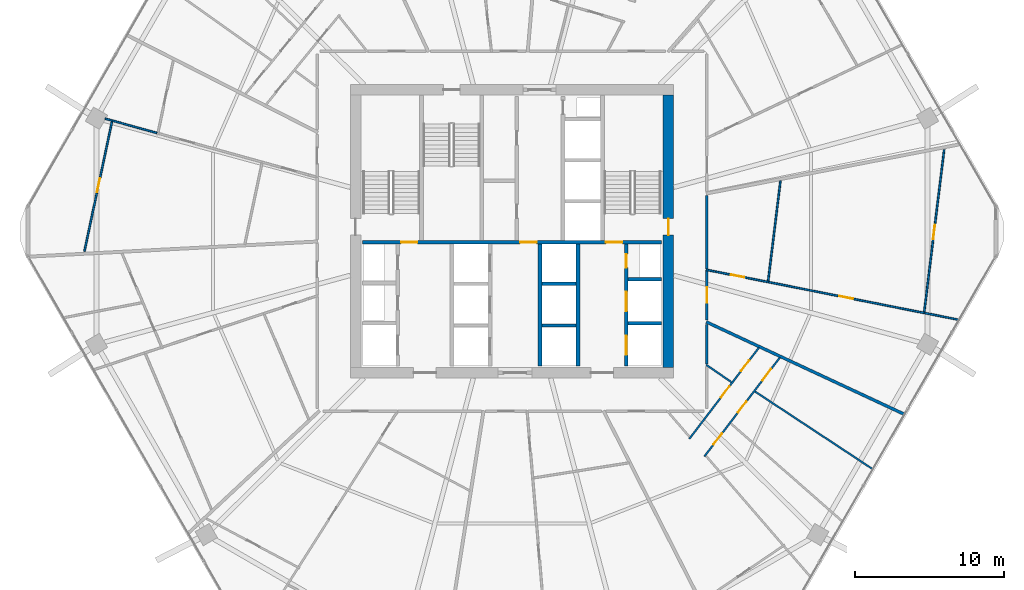
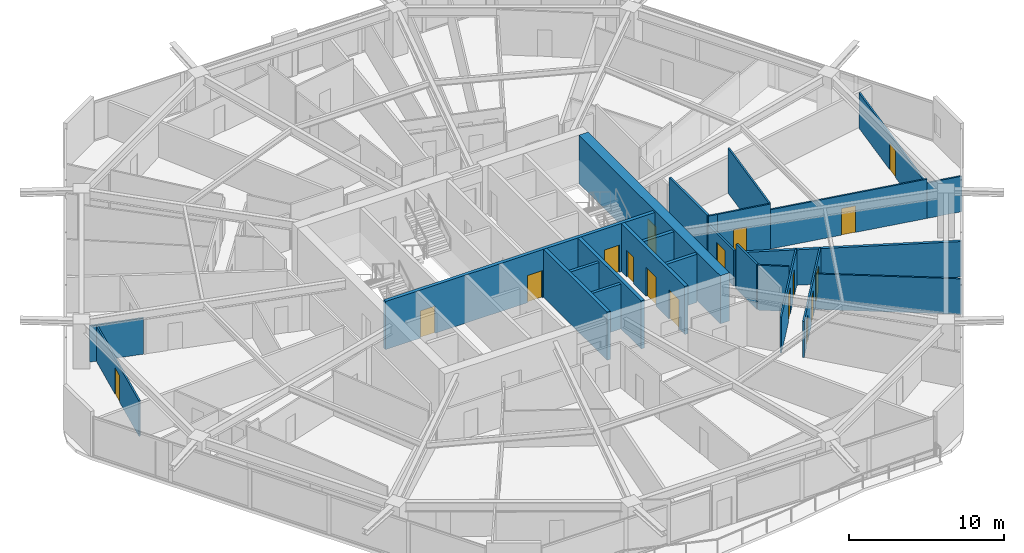
# One storey, part 26 of 33: 26 walls, 17 doors, 17 openings.
"""IFC4 building model written with IfcOpenShell, lengths in metres."""

import ifcopenshell
import ifcopenshell.guid

model = None  # the IFC model being written
_history = None  # IfcOwnerHistory: only IFC2X3 demands one
_inside = {}  # id of a spatial element -> (the spatial element, [elements in it])
_under = {}  # id of a project, library or spatial element -> (it, [spatial elements below it])
_declared = {}  # id of a project -> (the project, [libraries it declares])
_typed = {}  # id of a type object -> (the type object, [elements of that type])
_made_of = {}  # id of a material, layer set ... -> (it, [elements and type objects made of it])


def new_model(schema):
    """Start an empty IFC model of exactly this schema.

    Asked for "IFC4X3", IfcOpenShell would pick the latest addendum, in which some entities
    have other attributes; the version numbers below select the first issue.
    IFC2X3 requires an IfcOwnerHistory on every rooted entity: one is made here for all.
    """
    global model, _history
    if schema == "IFC4X3":
        model = ifcopenshell.file(schema_version=(4, 3, 0, 0))
    else:
        model = ifcopenshell.file(schema=schema)
    _inside.clear()
    _under.clear()
    _declared.clear()
    _typed.clear()
    _made_of.clear()
    _history = None
    if model.schema == "IFC2X3":
        org = make("IfcOrganization", Name="unknown")
        user = make(
            "IfcPersonAndOrganization",
            ThePerson=make("IfcPerson", FamilyName="unknown"),
            TheOrganization=org,
        )
        app = make(
            "IfcApplication",
            ApplicationDeveloper=org,
            Version="unknown",
            ApplicationFullName="unknown",
            ApplicationIdentifier="unknown",
        )
        _history = make(
            "IfcOwnerHistory",
            OwningUser=user,
            OwningApplication=app,
            ChangeAction="ADDED",
            CreationDate=0,
        )
    return model


def make(cls, **values):
    """One entity of the class cls with the attributes given. An attribute that is None is left unset."""
    return model.create_entity(
        cls, **{name: value for name, value in values.items() if value is not None}
    )


def rooted(cls, **values):
    """An entity with a GlobalId (a new one), such as an element, a storey or a relation."""
    return make(cls, GlobalId=ifcopenshell.guid.new(), OwnerHistory=_history, **values)


def si_unit(unit_type, name, prefix=None):
    """IfcSIUnit, for example si_unit("LENGTHUNIT", "METRE", prefix="MILLI")."""
    return make("IfcSIUnit", UnitType=unit_type, Prefix=prefix, Name=name)


def assignment(units):
    """IfcUnitAssignment: the units of a project."""
    return None if units is None else make("IfcUnitAssignment", Units=units)


def point(xyz):
    """IfcCartesianPoint."""
    return None if xyz is None else make("IfcCartesianPoint", Coordinates=xyz)


def direction(xyz):
    """IfcDirection."""
    return None if xyz is None else make("IfcDirection", DirectionRatios=xyz)


def frame(location, z_axis=None, x_axis=None):
    """IfcAxis2Placement3D, a coordinate frame: its origin and axes. An axis left out is left unset."""
    return make(
        "IfcAxis2Placement3D",
        Location=point(location),
        Axis=direction(z_axis),
        RefDirection=direction(x_axis),
    )


def frame_2d(location, x_axis=None):
    """IfcAxis2Placement2D, a coordinate frame in the plane: its origin and x axis."""
    return make(
        "IfcAxis2Placement2D", Location=point(location), RefDirection=direction(x_axis)
    )


def origin():
    """The frame at (0, 0, 0) with its axes left unset."""
    return frame((0.0, 0.0, 0.0))


def place(relative_to, where):
    """IfcLocalPlacement: puts the frame where relative to a parent placement (None: the world)."""
    return make(
        "IfcLocalPlacement", PlacementRelTo=relative_to, RelativePlacement=where
    )


def context(
    kind, dimensions, precision=None, world=None, true_north=None, identifier=None
):
    """IfcGeometricRepresentationContext, for example the 3D "Model" context."""
    return make(
        "IfcGeometricRepresentationContext",
        ContextIdentifier=identifier,
        ContextType=kind,
        CoordinateSpaceDimension=dimensions,
        Precision=precision,
        WorldCoordinateSystem=world,
        TrueNorth=true_north,
    )


def subcontext(parent, identifier, kind, view, scale=None):
    """IfcGeometricRepresentationSubContext, for example "Body" below "Model"."""
    return make(
        "IfcGeometricRepresentationSubContext",
        ContextIdentifier=identifier,
        ContextType=kind,
        ParentContext=parent,
        TargetScale=scale,
        TargetView=view,
    )


def project(units=None, contexts=None):
    """IfcProject with its units and contexts."""
    return rooted(
        "IfcProject",
        Name="project",
        RepresentationContexts=contexts,
        UnitsInContext=assignment(units),
    )


def spatial(cls, under=None, at=None, **own):
    """A site, building, storey or space (cls), placed at a placement, below another one or the project."""
    s = rooted(cls, ObjectPlacement=at, **own)
    if under is not None:
        _under.setdefault(under.id(), (under, []))[1].append(s)
    return s


def profile(cls, at=None, kind="AREA", **sizes):
    """A parametric profile (cls). Its sizes go by their IFC names, for example OverallWidth=200.0."""
    return make(cls, ProfileType=kind, Position=at, **sizes)


def rectangle(**sizes):
    """IfcRectangleProfileDef."""
    return profile("IfcRectangleProfileDef", **sizes)


def extrude(swept, where, along, depth):
    """IfcExtrudedAreaSolid: the profile swept, set in the frame where, extruded along a direction by depth."""
    return make(
        "IfcExtrudedAreaSolid",
        SweptArea=swept,
        Position=where,
        ExtrudedDirection=direction(along),
        Depth=depth,
    )


def shape(context_of_items, identifier, shape_type, items):
    """IfcShapeRepresentation: the items that make up one representation, for example the "Body"."""
    return make(
        "IfcShapeRepresentation",
        ContextOfItems=context_of_items,
        RepresentationIdentifier=identifier,
        RepresentationType=shape_type,
        Items=items,
    )


def material(Name=None, Category=None):
    """IfcMaterial."""
    return make("IfcMaterial", Name=Name, Category=Category)


def layer(
    of_material, thickness, ventilated=None, Name=None, Category=None, Priority=None
):
    """IfcMaterialLayer: one layer of a wall or slab, of a material (None: an air gap)."""
    return make(
        "IfcMaterialLayer",
        Material=of_material,
        LayerThickness=thickness,
        IsVentilated=ventilated,
        Name=Name,
        Category=Category,
        Priority=Priority,
    )


def layer_set(layers, Name=None):
    """IfcMaterialLayerSet."""
    return make("IfcMaterialLayerSet", MaterialLayers=layers, LayerSetName=Name)


def made_of(thing, what):
    """Note that an element or type object is made of a material, layer set ...; save() writes the relation."""
    if what is not None:
        _made_of.setdefault(what.id(), (what, []))[1].append(thing)
    return thing


def type_object(cls, material=None, **own):
    """A type object (cls), such as IfcWallType, which elements share."""
    return made_of(rooted(cls, **own), material)


def element(
    cls,
    number,
    at=None,
    inside=None,
    cuts=None,
    type_object=None,
    material=None,
    context=None,
    identifier="Body",
    shape_type=None,
    held_by="IfcProductDefinitionShape",
    body=None,
    shapes=None,
    **own,
):
    """One element of the class cls, such as IfcWall. Its Tag is "e" and its number.

    at: its placement. inside: the storey or other place that contains it. cuts: it is an
    opening in that element (IfcRelVoidsElement). A single representation is given by context,
    identifier, shape_type and body (its items); several are given by shapes. held_by: the class
    of the entity that holds the representations. save() writes the other relations.
    """
    e = rooted(cls, Tag="e%d" % number, ObjectPlacement=at, **own)
    if body is not None:
        shapes = [shape(context, identifier, shape_type, body)]
    if shapes is not None:
        e.Representation = make(held_by, Representations=shapes)
    if inside is not None:
        _inside.setdefault(inside.id(), (inside, []))[1].append(e)
    if cuts is not None:
        rooted(
            "IfcRelVoidsElement", RelatingBuildingElement=cuts, RelatedOpeningElement=e
        )
    if type_object is not None:
        _typed.setdefault(type_object.id(), (type_object, []))[1].append(e)
    return made_of(e, material)


def fill(opening, filler):
    """IfcRelFillsElement: the door or window that sits in an opening."""
    return rooted(
        "IfcRelFillsElement",
        RelatingOpeningElement=opening,
        RelatedBuildingElement=filler,
    )


def aggregate(whole, parts):
    """IfcRelAggregates: a whole, such as a stair, and the parts it consists of."""
    return rooted("IfcRelAggregates", RelatingObject=whole, RelatedObjects=parts)


def save(model, path):
    """Write the relations noted so far, then the file.

    IfcRelAggregates (storeys below a building ...), IfcRelContainedInSpatialStructure (elements
    in a storey), IfcRelDefinesByType, IfcRelAssociatesMaterial and IfcRelDeclares: one each for
    every whole, place, type object, material and project.
    """
    for whole, parts in _under.values():
        aggregate(whole, parts)
    for where, things in _inside.values():
        rooted(
            "IfcRelContainedInSpatialStructure",
            RelatedElements=things,
            RelatingStructure=where,
        )
    for kind, things in _typed.values():
        rooted("IfcRelDefinesByType", RelatedObjects=things, RelatingType=kind)
    for what, things in _made_of.values():
        rooted("IfcRelAssociatesMaterial", RelatedObjects=things, RelatingMaterial=what)
    for by, libraries in _declared.values():
        rooted("IfcRelDeclares", RelatingContext=by, RelatedDefinitions=libraries)
    model.write(path)


model = new_model("IFC4")

# Units and contexts
model_context = context("Model", 3, precision=1e-05, world=origin(), true_north=direction((0.0, 1.0)))
body_context = subcontext(model_context, "Body", "Model", "MODEL_VIEW")
ifc_project = project(units=[si_unit("LENGTHUNIT", "METRE"), si_unit("AREAUNIT", "SQUARE_METRE"), si_unit("VOLUMEUNIT", "CUBIC_METRE"), si_unit("PLANEANGLEUNIT", "RADIAN"), si_unit("MASSUNIT", "GRAM", prefix="KILO")], contexts=[model_context])

# Site, building, storey
site_placement = place(None, origin())
site = spatial("IfcSite", under=ifc_project, at=site_placement, CompositionType="ELEMENT")
building_placement = place(site_placement, origin())
building = spatial("IfcBuilding", under=site, at=building_placement, Name="Zuhravey Tower", CompositionType="ELEMENT")
storey_placement = place(building_placement, frame((0.0, 0.0, 126.60009765625)))
storey = spatial("IfcBuildingStorey", under=building, at=storey_placement, Name="L31", CompositionType="ELEMENT", Elevation=126.60009765625)

# Wall, opening, door
ifc_material_1 = material(Name="Concrete C60/75", Category="concrete")
ifc_layer_1 = layer(ifc_material_1, 0.699951171875)
ifc_layer_set_1 = layer_set([ifc_layer_1], Name="Concrete C60/75")
wall_type_1 = type_object("IfcWallType", Name="Core Shear Wall 700", PredefinedType="SHEAR", material=ifc_layer_set_1)
wall_1_placement = place(storey_placement, frame((46.5, 22.85009765625, 0.0), z_axis=(0.0, 0.0, 1.0), x_axis=(0.0, 1.0, 0.0)))
wall_1 = element("IfcWall", 1, at=wall_1_placement, inside=storey, type_object=wall_type_1, Name="L31 East Core Shear Wall CW70", PredefinedType="SHEAR", context=body_context, shape_type="SweptSolid", body=[
    extrude(rectangle(XDim=18.2998046875, YDim=0.699951171875, at=frame_2d((9.14990234375, 0.0))), origin(), (0.0, 0.0, 1.0), 3.7998046875),
])
opening_1_placement = place(wall_1_placement, frame((8.89990234375, 0.0, 0.0)))
opening_1 = element("IfcOpeningElement", 2, at=opening_1_placement, cuts=wall_1, Name="Opening STD1", PredefinedType="OPENING", context=body_context, shape_type="SweptSolid", body=[
    extrude(rectangle(XDim=1.10009765625, YDim=2.14990234375, at=frame_2d((0.550048828125, 1.074951171875))), frame((0.0, 0.362060546875, 0.0), z_axis=(0.0, -1.0, 0.0), x_axis=(1.0, 0.0, 0.0)), (0.0, 0.0, 1.0), 0.723876953125),
])
ifc_material_2 = material(Name="Galvanised fire-rated steel leaf", Category="steel")
door_type_1 = type_object("IfcDoorType", Name="Protected Stair Fire Door 1100x2150", OperationType="NOTDEFINED", PredefinedType="USERDEFINED", material=ifc_material_2)
door_1_placement = place(opening_1_placement, origin())
door_1 = element("IfcDoor", 3, at=door_1_placement, inside=storey, type_object=door_type_1, Name="L31 Stair ST2 Door", ObjectType="EXITDOOR", OperationType="SINGLE_SWING_RIGHT", OverallHeight=2.14990234375, OverallWidth=1.10009765625, PredefinedType="USERDEFINED", context=body_context, shape_type="SweptSolid", body=[
    extrude(rectangle(XDim=1.10009765625, YDim=2.14990234375, at=frame_2d((0.550048828125, 1.074951171875))), frame((0.0, 0.02490234375, 0.0), z_axis=(0.0, -1.0, 0.0), x_axis=(1.0, 0.0, 0.0)), (0.0, 0.0, 1.0), 0.050048828125),
])
fill(opening_1, door_1)

ifc_material_3 = material(Name="Gypsum fire-rated stud partition")
ifc_layer_2 = layer(ifc_material_3, 0.159912109375)
ifc_layer_set_2 = layer_set([ifc_layer_2], Name="Gypsum fire-rated stud partition")
wall_type_2 = type_object("IfcWallType", Name="Corridor Fire Partition 160", PredefinedType="PARTITIONING", material=ifc_layer_set_2)
wall_2_placement = place(storey_placement, frame((49.080078125, 26.06103515625, 0.0), z_axis=(0.0, 0.0, 1.0), x_axis=(0.0, 1.0, 0.0)))
wall_2 = element("IfcWall", 4, at=wall_2_placement, inside=storey, type_object=wall_type_2, Name="L31 IW16 Partition 066", PredefinedType="PARTITIONING", context=body_context, shape_type="SweptSolid", body=[
    extrude(rectangle(XDim=3.32861328125, YDim=0.159912109375, at=frame_2d((1.664306640625, 0.0))), origin(), (0.0, 0.0, 1.0), 2.849853515625),
])
opening_2_placement = place(wall_2_placement, frame((1.139404296875, 0.0, 0.0)))
opening_2 = element("IfcOpeningElement", 5, at=opening_2_placement, cuts=wall_2, Name="Opening APD1", PredefinedType="OPENING", context=body_context, shape_type="SweptSolid", body=[
    extrude(rectangle(XDim=1.050048828125, YDim=2.14990234375, at=frame_2d((0.52490234375, 1.074951171875))), frame((0.0, 0.092041015625, 0.0), z_axis=(0.0, -1.0, 0.0), x_axis=(1.0, 0.0, 0.0)), (0.0, 0.0, 1.0), 0.183837890625),
])
ifc_material_4 = material(Name="Solid-core oak fire-rated leaf")
door_type_2 = type_object("IfcDoorType", Name="Apartment Entrance Fire Door 1050x2150", OperationType="NOTDEFINED", PredefinedType="DOOR", material=ifc_material_4)
door_2_placement = place(opening_2_placement, frame((1.050048828125, 0.0, 0.0), z_axis=(0.0, 0.0, 1.0), x_axis=(-1.0, 0.0, 0.0)))
door_2 = element("IfcDoor", 6, at=door_2_placement, inside=storey, type_object=door_type_2, Name="L31 Door 066.1", OperationType="SINGLE_SWING_LEFT", OverallHeight=2.14990234375, OverallWidth=1.050048828125, PredefinedType="DOOR", context=body_context, shape_type="SweptSolid", body=[
    extrude(rectangle(XDim=1.050048828125, YDim=2.14990234375, at=frame_2d((0.52490234375, 1.074951171875))), frame((0.0, 0.02490234375, 0.0), z_axis=(0.0, -1.0, 0.0), x_axis=(1.0, 0.0, 0.0)), (0.0, 0.0, 1.0), 0.050048828125),
])
fill(opening_2, door_2)

# Walls
wall_3_placement = place(storey_placement, frame((49.080078125, 23.093505859375, 0.0), z_axis=(0.0, 0.0, 1.0), x_axis=(0.0, 1.0, 0.0)))
element("IfcWall", 7, at=wall_3_placement, inside=storey, type_object=wall_type_2, Name="L31 IW16 Partition 142", PredefinedType="PARTITIONING", context=body_context, shape_type="SweptSolid", body=[
    extrude(rectangle(XDim=2.6455078125, YDim=0.159912109375, at=frame_2d((1.32275390625, 0.0))), origin(), (0.0, 0.0, 1.0), 3.5498046875),
])
wall_4_placement = place(storey_placement, frame((49.080078125, 29.4794921875, 0.0), z_axis=(0.0, 0.0, 1.0), x_axis=(0.0, 1.0, 0.0)))
element("IfcWall", 8, at=wall_4_placement, inside=storey, type_object=wall_type_2, Name="L31 IW16 Partition 143", PredefinedType="PARTITIONING", context=body_context, shape_type="SweptSolid", body=[
    extrude(rectangle(XDim=4.92431640625, YDim=0.159912109375, at=frame_2d((2.462158203125, 0.0))), origin(), (0.0, 0.0, 1.0), 3.5498046875),
])

# Wall, openings, doors
ifc_material_5 = material(Name="Concrete C50/60", Category="concrete")
ifc_layer_3 = layer(ifc_material_5, 0.25)
ifc_layer_set_3 = layer_set([ifc_layer_3], Name="Concrete C50/60")
wall_type_3 = type_object("IfcWallType", Name="Firefighting Shaft & Stair Wall 250", PredefinedType="SOLIDWALL", material=ifc_layer_set_3)
wall_5_placement = place(storey_placement, frame((25.949951171875, 31.27490234375, 0.0), z_axis=(0.0, 0.0, 1.0), x_axis=(1.0, 0.0, 0.0)))
wall_5 = element("IfcWall", 9, at=wall_5_placement, inside=storey, type_object=wall_type_3, Name="L31 FW25 Shaft Wall 003", PredefinedType="SOLIDWALL", context=body_context, shape_type="SweptSolid", body=[
    extrude(rectangle(XDim=20.10009765625, YDim=0.25, at=frame_2d((10.050048828125, 0.0))), origin(), (0.0, 0.0, 1.0), 3.7998046875),
])
opening_3_placement = place(wall_5_placement, frame((2.60009765625, 0.0, 0.0)))
opening_3 = element("IfcOpeningElement", 10, at=opening_3_placement, cuts=wall_5, Name="Opening STD1", PredefinedType="OPENING", context=body_context, shape_type="SweptSolid", body=[
    extrude(rectangle(XDim=1.10009765625, YDim=2.14990234375, at=frame_2d((0.550048828125, 1.074951171875))), frame((0.0, 0.136962890625, 0.0), z_axis=(0.0, -1.0, 0.0), x_axis=(1.0, 0.0, 0.0)), (0.0, 0.0, 1.0), 0.27392578125),
])
opening_4_placement = place(wall_5_placement, frame((10.60009765625, 0.0, 0.0)))
opening_4 = element("IfcOpeningElement", 11, at=opening_4_placement, cuts=wall_5, Name="Opening STD1", PredefinedType="OPENING", context=body_context, shape_type="SweptSolid", body=[
    extrude(rectangle(XDim=1.10009765625, YDim=2.14990234375, at=frame_2d((0.550048828125, 1.074951171875))), frame((0.0, 0.136962890625, 0.0), z_axis=(0.0, -1.0, 0.0), x_axis=(1.0, 0.0, 0.0)), (0.0, 0.0, 1.0), 0.27392578125),
])
opening_5_placement = place(wall_5_placement, frame((16.35009765625, 0.0, 0.0)))
opening_5 = element("IfcOpeningElement", 12, at=opening_5_placement, cuts=wall_5, Name="Opening STD1", PredefinedType="OPENING", context=body_context, shape_type="SweptSolid", body=[
    extrude(rectangle(XDim=1.10009765625, YDim=2.14990234375, at=frame_2d((0.550048828125, 1.074951171875))), frame((0.0, 0.136962890625, 0.0), z_axis=(0.0, -1.0, 0.0), x_axis=(1.0, 0.0, 0.0)), (0.0, 0.0, 1.0), 0.27392578125),
])
door_3_placement = place(opening_3_placement, origin())
door_3 = element("IfcDoor", 13, at=door_3_placement, inside=storey, type_object=door_type_1, Name="L31 FFL-W to ST1 Door", ObjectType="EXITDOOR", OperationType="SINGLE_SWING_RIGHT", OverallHeight=2.14990234375, OverallWidth=1.10009765625, PredefinedType="USERDEFINED", context=body_context, shape_type="SweptSolid", body=[
    extrude(rectangle(XDim=1.10009765625, YDim=2.14990234375, at=frame_2d((0.550048828125, 1.074951171875))), frame((0.0, 0.02490234375, 0.0), z_axis=(0.0, -1.0, 0.0), x_axis=(1.0, 0.0, 0.0)), (0.0, 0.0, 1.0), 0.050048828125),
])
fill(opening_3, door_3)
door_4_placement = place(opening_4_placement, origin())
door_4 = element("IfcDoor", 14, at=door_4_placement, inside=storey, type_object=door_type_1, Name="L31 Core Lobby Link Door", ObjectType="EXITDOOR", OperationType="SINGLE_SWING_LEFT", OverallHeight=2.14990234375, OverallWidth=1.10009765625, PredefinedType="USERDEFINED", context=body_context, shape_type="SweptSolid", body=[
    extrude(rectangle(XDim=1.10009765625, YDim=2.14990234375, at=frame_2d((0.550048828125, 1.074951171875))), frame((0.0, 0.02490234375, 0.0), z_axis=(0.0, -1.0, 0.0), x_axis=(1.0, 0.0, 0.0)), (0.0, 0.0, 1.0), 0.050048828125),
])
fill(opening_4, door_4)
door_5_placement = place(opening_5_placement, origin())
door_5 = element("IfcDoor", 15, at=door_5_placement, inside=storey, type_object=door_type_1, Name="L31 FFL-E to ST2 Door", ObjectType="EXITDOOR", OperationType="SINGLE_SWING_RIGHT", OverallHeight=2.14990234375, OverallWidth=1.10009765625, PredefinedType="USERDEFINED", context=body_context, shape_type="SweptSolid", body=[
    extrude(rectangle(XDim=1.10009765625, YDim=2.14990234375, at=frame_2d((0.550048828125, 1.074951171875))), frame((0.0, 0.02490234375, 0.0), z_axis=(0.0, -1.0, 0.0), x_axis=(1.0, 0.0, 0.0)), (0.0, 0.0, 1.0), 0.050048828125),
])
fill(opening_5, door_5)

# Walls
for number, where, z_axis, x_axis, name in (
    (16, (37.875, 22.949951171875, 0.0), (0.0, 0.0, 1.0), (0.0, 1.0, 0.0), "L31 FW25 Shaft Wall 014"),
    (17, (40.425048828125, 22.949951171875, 0.0), (0.0, 0.0, 1.0), (0.0, 1.0, 0.0), "L31 FW25 Shaft Wall 015"),
):
    element("IfcWall", number, at=place(storey_placement, frame(where, z_axis=z_axis, x_axis=x_axis)), inside=storey, type_object=wall_type_3, Name=name, PredefinedType="SOLIDWALL", context=body_context, shape_type="SweptSolid", body=[
        extrude(rectangle(XDim=8.199951171875, YDim=0.25, at=frame_2d((4.10009765625, 0.0))), origin(), (0.0, 0.0, 1.0), 3.7998046875),
    ])
for number, where, z_axis, x_axis, name in (
    (18, (43.800048828125, 25.824951171875, 0.0), (0.0, 0.0, 1.0), (1.0, 0.0, 0.0), "L31 FW25 Shaft Wall 016"),
    (19, (43.800048828125, 28.77490234375, 0.0), (0.0, 0.0, 1.0), (1.0, 0.0, 0.0), "L31 FW25 Shaft Wall 017"),
):
    element("IfcWall", number, at=place(storey_placement, frame(where, z_axis=z_axis, x_axis=x_axis)), inside=storey, type_object=wall_type_3, Name=name, PredefinedType="SOLIDWALL", context=body_context, shape_type="SweptSolid", body=[
        extrude(rectangle(XDim=2.25, YDim=0.25, at=frame_2d((1.125, 0.0))), origin(), (0.0, 0.0, 1.0), 3.7998046875),
    ])

# Wall, openings, doors
wall_6_placement = place(storey_placement, frame((43.675048828125, 22.949951171875, 0.0), z_axis=(0.0, 0.0, 1.0), x_axis=(0.0, 1.0, 0.0)))
wall_6 = element("IfcWall", 20, at=wall_6_placement, inside=storey, type_object=wall_type_3, Name="L31 FW25 Shaft Wall 018", PredefinedType="SOLIDWALL", context=body_context, shape_type="SweptSolid", body=[
    extrude(rectangle(XDim=8.199951171875, YDim=0.25, at=frame_2d((4.10009765625, 0.0))), origin(), (0.0, 0.0, 1.0), 3.7998046875),
])
opening_6_placement = place(wall_6_placement, frame((0.75, 0.0, 0.0)))
opening_6 = element("IfcOpeningElement", 21, at=opening_6_placement, cuts=wall_6, Name="Opening LD2", PredefinedType="OPENING", context=body_context, shape_type="SweptSolid", body=[
    extrude(rectangle(XDim=1.300048828125, YDim=2.300048828125, at=frame_2d((0.64990234375, 1.14990234375))), frame((0.0, 0.136962890625, 0.0), z_axis=(0.0, -1.0, 0.0), x_axis=(1.0, 0.0, 0.0)), (0.0, 0.0, 1.0), 0.27392578125),
])
opening_7_placement = place(wall_6_placement, frame((3.699951171875, 0.0, 0.0)))
opening_7 = element("IfcOpeningElement", 22, at=opening_7_placement, cuts=wall_6, Name="Opening LD2", PredefinedType="OPENING", context=body_context, shape_type="SweptSolid", body=[
    extrude(rectangle(XDim=1.300048828125, YDim=2.300048828125, at=frame_2d((0.64990234375, 1.14990234375))), frame((0.0, 0.136962890625, 0.0), z_axis=(0.0, -1.0, 0.0), x_axis=(1.0, 0.0, 0.0)), (0.0, 0.0, 1.0), 0.27392578125),
])
opening_8_placement = place(wall_6_placement, frame((6.6201171875, 0.0, 0.0)))
opening_8 = element("IfcOpeningElement", 23, at=opening_8_placement, cuts=wall_6, Name="Opening RSD1", PredefinedType="OPENING", context=body_context, shape_type="SweptSolid", body=[
    extrude(rectangle(XDim=0.89990234375, YDim=2.10009765625, at=frame_2d((0.449951171875, 1.050048828125))), frame((0.0, 0.136962890625, 0.0), z_axis=(0.0, -1.0, 0.0), x_axis=(1.0, 0.0, 0.0)), (0.0, 0.0, 1.0), 0.27392578125),
])
ifc_material_6 = material(Name="Brushed stainless steel", Category="steel")
door_type_3 = type_object("IfcDoorType", Name="Freight & Stretcher Lift Sliding Door 1300x2300", OperationType="DOUBLE_DOOR_SLIDING", PredefinedType="DOOR", material=ifc_material_6)
door_6_placement = place(opening_6_placement, origin())
door_6 = element("IfcDoor", 24, at=door_6_placement, inside=storey, type_object=door_type_3, Name="L31 Lift FF2 Landing Door", OperationType="DOUBLE_DOOR_SLIDING", OverallHeight=2.300048828125, OverallWidth=1.300048828125, PredefinedType="DOOR", context=body_context, shape_type="SweptSolid", body=[
    extrude(rectangle(XDim=1.300048828125, YDim=2.300048828125, at=frame_2d((0.64990234375, 1.14990234375))), frame((0.0, 0.02490234375, 0.0), z_axis=(0.0, -1.0, 0.0), x_axis=(1.0, 0.0, 0.0)), (0.0, 0.0, 1.0), 0.050048828125),
])
fill(opening_6, door_6)
door_7_placement = place(opening_7_placement, origin())
door_7 = element("IfcDoor", 25, at=door_7_placement, inside=storey, type_object=door_type_3, Name="L31 Lift SV1 Landing Door", OperationType="DOUBLE_DOOR_SLIDING", OverallHeight=2.300048828125, OverallWidth=1.300048828125, PredefinedType="DOOR", context=body_context, shape_type="SweptSolid", body=[
    extrude(rectangle(XDim=1.300048828125, YDim=2.300048828125, at=frame_2d((0.64990234375, 1.14990234375))), frame((0.0, 0.02490234375, 0.0), z_axis=(0.0, -1.0, 0.0), x_axis=(1.0, 0.0, 0.0)), (0.0, 0.0, 1.0), 0.050048828125),
])
fill(opening_7, door_7)
ifc_material_7 = material(Name="Galvanised fire-rated steel access leaf", Category="steel")
door_type_4 = type_object("IfcDoorType", Name="Riser & Shaft Access Fire Door 900x2100", OperationType="NOTDEFINED", PredefinedType="DOOR", material=ifc_material_7)
door_8_placement = place(opening_8_placement, origin())
door_8 = element("IfcDoor", 26, at=door_8_placement, inside=storey, type_object=door_type_4, Name="L31 Plumbing Riser Door", OperationType="SINGLE_SWING_RIGHT", OverallHeight=2.10009765625, OverallWidth=0.89990234375, PredefinedType="DOOR", context=body_context, shape_type="SweptSolid", body=[
    extrude(rectangle(XDim=0.89990234375, YDim=2.10009765625, at=frame_2d((0.449951171875, 1.050048828125))), frame((0.0, 0.02490234375, 0.0), z_axis=(0.0, -1.0, 0.0), x_axis=(1.0, 0.0, 0.0)), (0.0, 0.0, 1.0), 0.050048828125),
])
fill(opening_8, door_8)

# Walls
ifc_material_8 = material(Name="Gypsum double-stud party assembly")
ifc_layer_4 = layer(ifc_material_8, 0.199951171875)
ifc_layer_set_4 = layer_set([ifc_layer_4], Name="Gypsum double-stud party assembly")
wall_type_4 = type_object("IfcWallType", Name="Inter-Tenancy Party Wall 200", PredefinedType="PARTITIONING", material=ifc_layer_set_4)
wall_7_placement = place(storey_placement, frame((49.0400390625, 25.919189453125, 0.0), z_axis=(0.0, 0.0, 1.0), x_axis=(0.90630970467, -0.422614149338, 0.0)))
element("IfcWall", 27, at=wall_7_placement, inside=storey, type_object=wall_type_4, Name="L31 IW20 Partition 124", PredefinedType="PARTITIONING", context=body_context, shape_type="SweptSolid", body=[
    extrude(rectangle(XDim=14.680908203125, YDim=0.199951171875, at=frame_2d((7.34033203125, 0.0))), origin(), (0.0, 0.0, 1.0), 2.7998046875),
])
ifc_material_9 = material(Name="Gypsum acoustic stud assembly")
ifc_layer_5 = layer(ifc_material_9, 0.219970703125)
ifc_layer_set_5 = layer_set([ifc_layer_5], Name="Gypsum acoustic stud assembly")
wall_type_5 = type_object("IfcWallType", Name="School Acoustic Compartment Wall 220", PredefinedType="PARTITIONING", material=ifc_layer_set_5)
for number, where, z_axis, x_axis, name in (
    (28, (38.008056640625, 25.675048828125, 0.0), (0.0, 0.0, 1.0), (1.0, 0.0, 0.0), "L31 IW22 Partition 073"),
    (29, (38.008056640625, 28.47509765625, 0.0), (0.0, 0.0, 1.0), (1.0, 0.0, 0.0), "L31 IW22 Partition 074"),
):
    element("IfcWall", number, at=place(storey_placement, frame(where, z_axis=z_axis, x_axis=x_axis)), inside=storey, type_object=wall_type_5, Name=name, PredefinedType="PARTITIONING", context=body_context, shape_type="SweptSolid", body=[
        extrude(rectangle(XDim=2.283935546875, YDim=0.219970703125, at=frame_2d((1.14208984375, 0.0))), origin(), (0.0, 0.0, 1.0), 3.5498046875),
    ])
ifc_material_10 = material(Name="Gypsum metal-stud partition")
ifc_layer_6 = layer(ifc_material_10, 0.1201171875)
ifc_layer_set_6 = layer_set([ifc_layer_6], Name="Gypsum metal-stud partition")
wall_type_6 = type_object("IfcWallType", Name="Unit Internal Partition 120", PredefinedType="PARTITIONING", material=ifc_layer_set_6)
wall_8_placement = place(storey_placement, frame((12.165283203125, 38.60107421875, 0.0), z_axis=(0.0, 0.0, 1.0), x_axis=(-0.963725092481, 0.266896882939, 0.0)))
element("IfcWall", 30, at=wall_8_placement, inside=storey, type_object=wall_type_6, Name="L31 IW12 Partition 040", PredefinedType="PARTITIONING", context=body_context, shape_type="SweptSolid", body=[
    extrude(rectangle(XDim=3.1357421875, YDim=0.1201171875, at=frame_2d((1.56787109375, 0.0))), origin(), (0.0, 0.0, 1.0), 2.849853515625),
])

# Wall, opening, door
wall_9_placement = place(storey_placement, frame((9.1533203125, 39.364501953125, 0.0), z_axis=(0.0, 0.0, 1.0), x_axis=(-0.207912484837, -0.978147431959, 0.0)))
wall_9 = element("IfcWall", 31, at=wall_9_placement, inside=storey, type_object=wall_type_6, Name="L31 IW12 Partition 041", PredefinedType="PARTITIONING", context=body_context, shape_type="SweptSolid", body=[
    extrude(rectangle(XDim=8.91259765625, YDim=0.1201171875, at=frame_2d((4.456298828125, 0.0))), origin(), (0.0, 0.0, 1.0), 2.7998046875),
])
opening_9_placement = place(wall_9_placement, frame((3.897216796875, 0.0, 0.0)))
opening_9 = element("IfcOpeningElement", 32, at=opening_9_placement, cuts=wall_9, Name="Opening IND1", PredefinedType="OPENING", context=body_context, shape_type="SweptSolid", body=[
    extrude(rectangle(XDim=0.949951171875, YDim=2.10009765625, at=frame_2d((0.47509765625, 1.050048828125))), frame((0.0, 0.072021484375, 0.0), z_axis=(0.0, -1.0, 0.0), x_axis=(1.0, 0.0, 0.0)), (0.0, 0.0, 1.0), 0.14404296875),
])
ifc_material_11 = material(Name="Painted engineered timber leaf", Category="wood")
door_type_5 = type_object("IfcDoorType", Name="Internal Room & Bedroom Door 950x2100", OperationType="NOTDEFINED", PredefinedType="DOOR", material=ifc_material_11)
door_9_placement = place(opening_9_placement, frame((0.949951171875, 0.0, 0.0), z_axis=(0.0, 0.0, 1.0), x_axis=(-1.0, 0.0, 0.0)))
door_9 = element("IfcDoor", 33, at=door_9_placement, inside=storey, type_object=door_type_5, Name="Apartment L31-05 Kitchen Door", OperationType="SINGLE_SWING_RIGHT", OverallHeight=2.10009765625, OverallWidth=0.949951171875, PredefinedType="DOOR", context=body_context, shape_type="SweptSolid", body=[
    extrude(rectangle(XDim=0.949951171875, YDim=2.10009765625, at=frame_2d((0.47509765625, 1.050048828125))), frame((0.0, 0.02490234375, 0.0), z_axis=(0.0, -1.0, 0.0), x_axis=(1.0, 0.0, 0.0)), (0.0, 0.0, 1.0), 0.050048828125),
])
fill(opening_9, door_9)

# Wall, openings, doors
wall_10_placement = place(storey_placement, frame((47.901123046875, 18.069091796875, 0.0), z_axis=(0.0, 0.0, 1.0), x_axis=(0.606532258444, 0.795058877988, 0.0)))
wall_10 = element("IfcWall", 34, at=wall_10_placement, inside=storey, type_object=wall_type_6, Name="L31 IW12 Partition 060", PredefinedType="PARTITIONING", context=body_context, shape_type="SweptSolid", body=[
    extrude(rectangle(XDim=7.71435546875, YDim=0.1201171875, at=frame_2d((3.857177734375, 0.0))), origin(), (0.0, 0.0, 1.0), 2.849853515625),
])
opening_10_placement = place(wall_10_placement, frame((3.4892578125, 0.0, 0.0)))
opening_10 = element("IfcOpeningElement", 35, at=opening_10_placement, cuts=wall_10, Name="Opening IND1", PredefinedType="OPENING", context=body_context, shape_type="SweptSolid", body=[
    extrude(rectangle(XDim=0.949951171875, YDim=2.10009765625, at=frame_2d((0.47509765625, 1.050048828125))), frame((0.0, 0.072021484375, 0.0), z_axis=(0.0, -1.0, 0.0), x_axis=(1.0, 0.0, 0.0)), (0.0, 0.0, 1.0), 0.14404296875),
])
opening_11_placement = place(wall_10_placement, frame((5.72900390625, 0.0, 0.0)))
opening_11 = element("IfcOpeningElement", 36, at=opening_11_placement, cuts=wall_10, Name="Opening WCD1", PredefinedType="OPENING", context=body_context, shape_type="SweptSolid", body=[
    extrude(rectangle(XDim=0.89990234375, YDim=2.10009765625, at=frame_2d((0.449951171875, 1.050048828125))), frame((0.0, 0.072021484375, 0.0), z_axis=(0.0, -1.0, 0.0), x_axis=(1.0, 0.0, 0.0)), (0.0, 0.0, 1.0), 0.14404296875),
])
ifc_material_12 = material(Name="Moisture-resistant timber leaf", Category="wood")
door_type_6 = type_object("IfcDoorType", Name="Bathroom & WC Internal Door 900x2100", OperationType="NOTDEFINED", PredefinedType="DOOR", material=ifc_material_12)
door_10_placement = place(opening_11_placement, origin())
door_10 = element("IfcDoor", 37, at=door_10_placement, inside=storey, type_object=door_type_6, Name="Apartment L31-09 Bathroom Door", OperationType="SINGLE_SWING_LEFT", OverallHeight=2.10009765625, OverallWidth=0.89990234375, PredefinedType="DOOR", context=body_context, shape_type="SweptSolid", body=[
    extrude(rectangle(XDim=0.89990234375, YDim=2.10009765625, at=frame_2d((0.449951171875, 1.050048828125))), frame((0.0, 0.02490234375, 0.0), z_axis=(0.0, -1.0, 0.0), x_axis=(1.0, 0.0, 0.0)), (0.0, 0.0, 1.0), 0.050048828125),
])
fill(opening_11, door_10)
door_11_placement = place(opening_10_placement, origin())
door_11 = element("IfcDoor", 38, at=door_11_placement, inside=storey, type_object=door_type_5, Name="Apartment L31-09 Kitchen Door", OperationType="SINGLE_SWING_RIGHT", OverallHeight=2.10009765625, OverallWidth=0.949951171875, PredefinedType="DOOR", context=body_context, shape_type="SweptSolid", body=[
    extrude(rectangle(XDim=0.949951171875, YDim=2.10009765625, at=frame_2d((0.47509765625, 1.050048828125))), frame((0.0, 0.02490234375, 0.0), z_axis=(0.0, -1.0, 0.0), x_axis=(1.0, 0.0, 0.0)), (0.0, 0.0, 1.0), 0.050048828125),
])
fill(opening_10, door_11)

wall_11_placement = place(storey_placement, frame((48.91650390625, 16.893798828125, 0.0), z_axis=(0.0, 0.0, 1.0), x_axis=(0.606532810855, 0.795058456566, 0.0)))
wall_11 = element("IfcWall", 39, at=wall_11_placement, inside=storey, type_object=wall_type_6, Name="L31 IW12 Partition 061", PredefinedType="PARTITIONING", context=body_context, shape_type="SweptSolid", body=[
    extrude(rectangle(XDim=8.3515625, YDim=0.1201171875, at=frame_2d((4.17578125, 0.0))), origin(), (0.0, 0.0, 1.0), 2.849853515625),
])
opening_12_placement = place(wall_11_placement, frame((0.99267578125, 0.0, 0.0)))
opening_12 = element("IfcOpeningElement", 40, at=opening_12_placement, cuts=wall_11, Name="Opening IND1", PredefinedType="OPENING", context=body_context, shape_type="SweptSolid", body=[
    extrude(rectangle(XDim=0.949951171875, YDim=2.10009765625, at=frame_2d((0.47509765625, 1.050048828125))), frame((0.0, 0.072021484375, 0.0), z_axis=(0.0, -1.0, 0.0), x_axis=(1.0, 0.0, 0.0)), (0.0, 0.0, 1.0), 0.14404296875),
])
opening_13_placement = place(wall_11_placement, frame((3.70068359375, 0.0, 0.0)))
opening_13 = element("IfcOpeningElement", 41, at=opening_13_placement, cuts=wall_11, Name="Opening IND1", PredefinedType="OPENING", context=body_context, shape_type="SweptSolid", body=[
    extrude(rectangle(XDim=0.949951171875, YDim=2.10009765625, at=frame_2d((0.47509765625, 1.050048828125))), frame((0.0, 0.072021484375, 0.0), z_axis=(0.0, -1.0, 0.0), x_axis=(1.0, 0.0, 0.0)), (0.0, 0.0, 1.0), 0.14404296875),
])
opening_14_placement = place(wall_11_placement, frame((6.4091796875, 0.0, 0.0)))
opening_14 = element("IfcOpeningElement", 42, at=opening_14_placement, cuts=wall_11, Name="Opening IND1", PredefinedType="OPENING", context=body_context, shape_type="SweptSolid", body=[
    extrude(rectangle(XDim=0.949951171875, YDim=2.10009765625, at=frame_2d((0.47509765625, 1.050048828125))), frame((0.0, 0.072021484375, 0.0), z_axis=(0.0, -1.0, 0.0), x_axis=(1.0, 0.0, 0.0)), (0.0, 0.0, 1.0), 0.14404296875),
])
door_12_placement = place(opening_12_placement, frame((0.949951171875, 0.0, 0.0), z_axis=(0.0, 0.0, 1.0), x_axis=(-1.0, 0.0, 0.0)))
door_12 = element("IfcDoor", 43, at=door_12_placement, inside=storey, type_object=door_type_5, Name="Apartment L31-09 Bedroom 1 Door", OperationType="SINGLE_SWING_RIGHT", OverallHeight=2.10009765625, OverallWidth=0.949951171875, PredefinedType="DOOR", context=body_context, shape_type="SweptSolid", body=[
    extrude(rectangle(XDim=0.949951171875, YDim=2.10009765625, at=frame_2d((0.47509765625, 1.050048828125))), frame((0.0, 0.02490234375, 0.0), z_axis=(0.0, -1.0, 0.0), x_axis=(1.0, 0.0, 0.0)), (0.0, 0.0, 1.0), 0.050048828125),
])
fill(opening_12, door_12)
door_13_placement = place(opening_13_placement, frame((0.949951171875, 0.0, 0.0), z_axis=(0.0, 0.0, 1.0), x_axis=(-1.0, 0.0, 0.0)))
door_13 = element("IfcDoor", 44, at=door_13_placement, inside=storey, type_object=door_type_5, Name="Apartment L31-09 Bedroom 2 Door", OperationType="SINGLE_SWING_LEFT", OverallHeight=2.10009765625, OverallWidth=0.949951171875, PredefinedType="DOOR", context=body_context, shape_type="SweptSolid", body=[
    extrude(rectangle(XDim=0.949951171875, YDim=2.10009765625, at=frame_2d((0.47509765625, 1.050048828125))), frame((0.0, 0.02490234375, 0.0), z_axis=(0.0, -1.0, 0.0), x_axis=(1.0, 0.0, 0.0)), (0.0, 0.0, 1.0), 0.050048828125),
])
fill(opening_13, door_13)
door_14_placement = place(opening_14_placement, frame((0.949951171875, 0.0, 0.0), z_axis=(0.0, 0.0, 1.0), x_axis=(-1.0, 0.0, 0.0)))
door_14 = element("IfcDoor", 45, at=door_14_placement, inside=storey, type_object=door_type_5, Name="Apartment L31-09 Bedroom 3 Door", OperationType="SINGLE_SWING_RIGHT", OverallHeight=2.10009765625, OverallWidth=0.949951171875, PredefinedType="DOOR", context=body_context, shape_type="SweptSolid", body=[
    extrude(rectangle(XDim=0.949951171875, YDim=2.10009765625, at=frame_2d((0.47509765625, 1.050048828125))), frame((0.0, 0.02490234375, 0.0), z_axis=(0.0, -1.0, 0.0), x_axis=(1.0, 0.0, 0.0)), (0.0, 0.0, 1.0), 0.050048828125),
])
fill(opening_14, door_14)

# Wall, opening, door
wall_12_placement = place(storey_placement, frame((49.64990234375, 29.297119140625, 0.0), z_axis=(0.0, 0.0, 1.0), x_axis=(0.9809591767, -0.194214040813, 0.0)))
wall_12 = element("IfcWall", 46, at=wall_12_placement, inside=storey, type_object=wall_type_6, Name="L31 IW12 Partition 063", PredefinedType="PARTITIONING", context=body_context, shape_type="SweptSolid", body=[
    extrude(rectangle(XDim=3.629150390625, YDim=0.1201171875, at=frame_2d((1.814453125, 0.0))), origin(), (0.0, 0.0, 1.0), 3.5498046875),
])
opening_15_placement = place(wall_12_placement, frame((1.07421875, 0.0, 0.0)))
opening_15 = element("IfcOpeningElement", 47, at=opening_15_placement, cuts=wall_12, Name="Opening WCD1", PredefinedType="OPENING", context=body_context, shape_type="SweptSolid", body=[
    extrude(rectangle(XDim=0.89990234375, YDim=2.10009765625, at=frame_2d((0.449951171875, 1.050048828125))), frame((0.0, 0.072021484375, 0.0), z_axis=(0.0, -1.0, 0.0), x_axis=(1.0, 0.0, 0.0)), (0.0, 0.0, 1.0), 0.14404296875),
])
door_15_placement = place(opening_15_placement, origin())
door_15 = element("IfcDoor", 48, at=door_15_placement, inside=storey, type_object=door_type_6, Name="Apartment L31-10 Bathroom Door", OperationType="SINGLE_SWING_RIGHT", OverallHeight=2.10009765625, OverallWidth=0.89990234375, PredefinedType="DOOR", context=body_context, shape_type="SweptSolid", body=[
    extrude(rectangle(XDim=0.89990234375, YDim=2.10009765625, at=frame_2d((0.449951171875, 1.050048828125))), frame((0.0, 0.02490234375, 0.0), z_axis=(0.0, -1.0, 0.0), x_axis=(1.0, 0.0, 0.0)), (0.0, 0.0, 1.0), 0.050048828125),
])
fill(opening_15, door_15)

wall_13_placement = place(storey_placement, frame((53.2099609375, 28.59228515625, 0.0), z_axis=(0.0, 0.0, 1.0), x_axis=(0.980957842049, -0.1942207819, 0.0)))
wall_13 = element("IfcWall", 49, at=wall_13_placement, inside=storey, type_object=wall_type_6, Name="L31 IW12 Partition 064", PredefinedType="PARTITIONING", context=body_context, shape_type="SweptSolid", body=[
    extrude(rectangle(XDim=10.678466796875, YDim=0.1201171875, at=frame_2d((5.33935546875, 0.0))), origin(), (0.0, 0.0, 1.0), 3.099853515625),
])
opening_16_placement = place(wall_13_placement, frame((4.839111328125, 0.0, 0.0)))
opening_16 = element("IfcOpeningElement", 50, at=opening_16_placement, cuts=wall_13, Name="Opening IND1", PredefinedType="OPENING", context=body_context, shape_type="SweptSolid", body=[
    extrude(rectangle(XDim=0.949951171875, YDim=2.10009765625, at=frame_2d((0.47509765625, 1.050048828125))), frame((0.0, 0.072021484375, 0.0), z_axis=(0.0, -1.0, 0.0), x_axis=(1.0, 0.0, 0.0)), (0.0, 0.0, 1.0), 0.14404296875),
])
door_16_placement = place(opening_16_placement, origin())
door_16 = element("IfcDoor", 51, at=door_16_placement, inside=storey, type_object=door_type_5, Name="Apartment L31-10 Home Office Door", OperationType="SINGLE_SWING_LEFT", OverallHeight=2.10009765625, OverallWidth=0.949951171875, PredefinedType="DOOR", context=body_context, shape_type="SweptSolid", body=[
    extrude(rectangle(XDim=0.949951171875, YDim=2.10009765625, at=frame_2d((0.47509765625, 1.050048828125))), frame((0.0, 0.02490234375, 0.0), z_axis=(0.0, -1.0, 0.0), x_axis=(1.0, 0.0, 0.0)), (0.0, 0.0, 1.0), 0.050048828125),
])
fill(opening_16, door_16)

wall_14_placement = place(storey_placement, frame((63.668701171875, 26.5908203125, 0.0), z_axis=(0.0, 0.0, 1.0), x_axis=(0.121886685179, 0.992544022185, 0.0)))
wall_14 = element("IfcWall", 52, at=wall_14_placement, inside=storey, type_object=wall_type_6, Name="L31 IW12 Partition 065", PredefinedType="PARTITIONING", context=body_context, shape_type="SweptSolid", body=[
    extrude(rectangle(XDim=10.968505859375, YDim=0.1201171875, at=frame_2d((5.484375, 0.0))), origin(), (0.0, 0.0, 1.0), 2.7998046875),
])
opening_17_placement = place(wall_14_placement, frame((4.925048828125, 0.0, 0.0)))
opening_17 = element("IfcOpeningElement", 53, at=opening_17_placement, cuts=wall_14, Name="Opening IND1", PredefinedType="OPENING", context=body_context, shape_type="SweptSolid", body=[
    extrude(rectangle(XDim=0.949951171875, YDim=2.10009765625, at=frame_2d((0.47509765625, 1.050048828125))), frame((0.0, 0.072021484375, 0.0), z_axis=(0.0, -1.0, 0.0), x_axis=(1.0, 0.0, 0.0)), (0.0, 0.0, 1.0), 0.14404296875),
])
door_17_placement = place(opening_17_placement, frame((0.949951171875, 0.0, 0.0), z_axis=(0.0, 0.0, 1.0), x_axis=(-1.0, 0.0, 0.0)))
door_17 = element("IfcDoor", 54, at=door_17_placement, inside=storey, type_object=door_type_5, Name="Apartment L31-10 Bedroom 1 Door", OperationType="SINGLE_SWING_RIGHT", OverallHeight=2.10009765625, OverallWidth=0.949951171875, PredefinedType="DOOR", context=body_context, shape_type="SweptSolid", body=[
    extrude(rectangle(XDim=0.949951171875, YDim=2.10009765625, at=frame_2d((0.47509765625, 1.050048828125))), frame((0.0, 0.02490234375, 0.0), z_axis=(0.0, -1.0, 0.0), x_axis=(1.0, 0.0, 0.0)), (0.0, 0.0, 1.0), 0.050048828125),
])
fill(opening_17, door_17)

# Walls
wall_15_placement = place(storey_placement, frame((9.143310546875, 39.43798828125, 0.0), z_axis=(0.0, 0.0, 1.0), x_axis=(-0.963794427179, 0.266646399072, 0.0)))
element("IfcWall", 55, at=wall_15_placement, inside=storey, type_object=wall_type_6, Name="L31 IW12 Partition 101", PredefinedType="PARTITIONING", context=body_context, shape_type="SweptSolid", body=[
    extrude(rectangle(XDim=0.479736328125, YDim=0.1201171875, at=frame_2d((0.23974609375, 0.0))), origin(), (0.0, 0.0, 1.0), 2.849853515625),
])
wall_16_placement = place(storey_placement, frame((49.030029296875, 23.04541015625, 0.0), z_axis=(0.0, 0.0, 1.0), x_axis=(0.824090441083, -0.5664582464, 0.0)))
element("IfcWall", 56, at=wall_16_placement, inside=storey, type_object=wall_type_6, Name="L31 IW12 Partition 118", PredefinedType="PARTITIONING", context=body_context, shape_type="SweptSolid", body=[
    extrude(rectangle(XDim=2.055419921875, YDim=0.1201171875, at=frame_2d((1.02783203125, 0.0))), origin(), (0.0, 0.0, 1.0), 3.5498046875),
])
wall_17_placement = place(storey_placement, frame((52.319091796875, 21.2421875, 0.0), z_axis=(0.0, 0.0, 1.0), x_axis=(0.834917563822, -0.550375019075, 0.0)))
element("IfcWall", 57, at=wall_17_placement, inside=storey, type_object=wall_type_6, Name="L31 IW12 Partition 120", PredefinedType="PARTITIONING", context=body_context, shape_type="SweptSolid", body=[
    extrude(rectangle(XDim=9.473388671875, YDim=0.1201171875, at=frame_2d((4.73681640625, 0.0))), origin(), (0.0, 0.0, 1.0), 2.7998046875),
])
wall_18_placement = place(storey_placement, frame((49.034912109375, 29.4189453125, 0.0), z_axis=(0.0, 0.0, 1.0), x_axis=(0.980938489324, -0.194318501855, 0.0)))
element("IfcWall", 58, at=wall_18_placement, inside=storey, type_object=wall_type_6, Name="L31 IW12 Partition 125", PredefinedType="PARTITIONING", context=body_context, shape_type="SweptSolid", body=[
    extrude(rectangle(XDim=0.626953125, YDim=0.1201171875, at=frame_2d((0.3134765625, 0.0))), origin(), (0.0, 0.0, 1.0), 3.5498046875),
])
wall_19_placement = place(storey_placement, frame((63.68505859375, 26.518310546875, 0.0), z_axis=(0.0, 0.0, 1.0), x_axis=(0.980958660601, -0.194216647569, 0.0)))
element("IfcWall", 59, at=wall_19_placement, inside=storey, type_object=wall_type_6, Name="L31 IW12 Partition 126", PredefinedType="PARTITIONING", context=body_context, shape_type="SweptSolid", body=[
    extrude(rectangle(XDim=2.373291015625, YDim=0.1201171875, at=frame_2d((1.1865234375, 0.0))), origin(), (0.0, 0.0, 1.0), 2.7998046875),
])
wall_20_placement = place(storey_placement, frame((53.193603515625, 28.664794921875, 0.0), z_axis=(0.0, 0.0, 1.0), x_axis=(0.121919936534, 0.992539938277, 0.0)))
element("IfcWall", 60, at=wall_20_placement, inside=storey, type_object=wall_type_6, Name="L31 IW12 Partition 127", PredefinedType="PARTITIONING", context=body_context, shape_type="SweptSolid", body=[
    extrude(rectangle(XDim=6.7783203125, YDim=0.1201171875, at=frame_2d((3.38916015625, 0.0))), origin(), (0.0, 0.0, 1.0), 3.5498046875),
])

save(model, "model.ifc")
